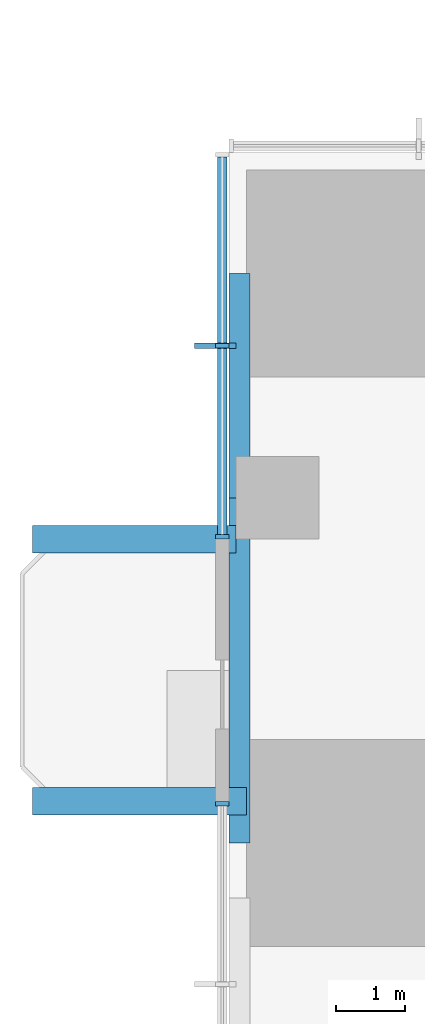
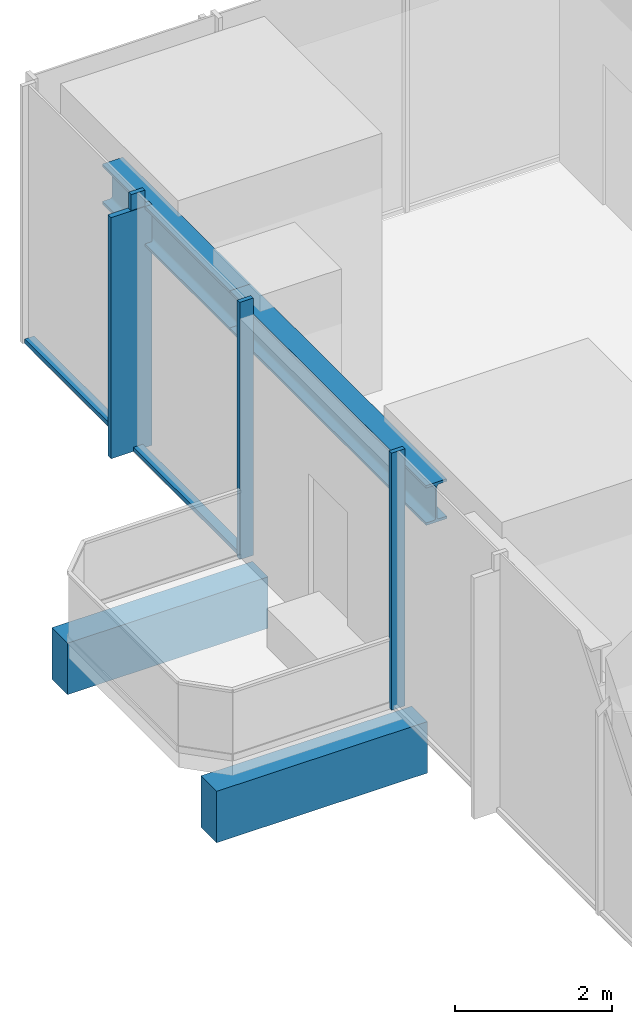
# One storey, part 3 of 13: 6 members, 4 beams, 2 elements without a shape of their own.
"""IFC4 building model written with IfcOpenShell, lengths in metres."""

from ifc_helpers import new_model, si_unit, direction, frame, origin, origin_2d, place, context, subcontext, project, spatial, rectangle, i_section, extrude, material, material_profile, profile_set, type_object, element, aggregate, save


model = new_model("IFC4")

# Units and contexts
model_context = context("Model", 3, precision=1e-05, world=origin(), true_north=direction((0.0, 1.0)))
body_context = subcontext(model_context, "Body", "Model", "MODEL_VIEW")
ifc_project = project(units=[si_unit("LENGTHUNIT", "METRE"), si_unit("AREAUNIT", "SQUARE_METRE"), si_unit("VOLUMEUNIT", "CUBIC_METRE"), si_unit("PLANEANGLEUNIT", "RADIAN"), si_unit("MASSUNIT", "GRAM", prefix="KILO")], contexts=[model_context])

# Site, building, storey
site_placement = place(None, origin())
site = spatial("IfcSite", under=ifc_project, at=site_placement, CompositionType="ELEMENT")
building_placement = place(site_placement, origin())
building = spatial("IfcBuilding", under=site, at=building_placement, Name="Svetlomir Tower", CompositionType="ELEMENT")
storey_placement = place(building_placement, frame((0.0, 0.0, 124.5)))
storey = spatial("IfcBuildingStorey", under=building, at=storey_placement, Name="L29", CompositionType="ELEMENT", Elevation=124.5)

# Beams
ifc_material_1 = material(Name="Concrete C60/75", Category="concrete")
ifc_material_profile_1 = material_profile(ifc_material_1, rectangle(XDim=0.39990234375, YDim=0.800048828125, at=origin_2d()), Name="RC 400x800")
ifc_profile_set_1 = profile_set([ifc_material_profile_1], Name="Concrete C60/75")
beam_type_1 = type_object("IfcBeamType", Name="BALCONY RIB RC 400x800", PredefinedType="BEAM", material=ifc_profile_set_1)
beam_1_placement = place(storey_placement, frame((0.25, 21.60009765625, -0.64990234375), z_axis=(-1.0, 0.0, 0.0), x_axis=(0.0, -1.0, 0.0)))
element("IfcBeam", 1, at=beam_1_placement, inside=storey, type_object=beam_type_1, Name="Balcony rib W 1 L29", PredefinedType="BEAM", context=body_context, shape_type="SweptSolid", body=[
    extrude(rectangle(XDim=0.39990234375, YDim=0.800048828125, at=origin_2d()), origin(), (0.0, 0.0, 1.0), 3.10009765625),
])
beam_2_placement = place(storey_placement, frame((0.10009765625, 25.39990234375, -0.64990234375), z_axis=(-1.0, 0.0, 0.0), x_axis=(0.0, -1.0, 0.0)))
element("IfcBeam", 2, at=beam_2_placement, inside=storey, type_object=beam_type_1, Name="Balcony rib W 2 L29", PredefinedType="BEAM", context=body_context, shape_type="SweptSolid", body=[
    extrude(rectangle(XDim=0.39990234375, YDim=0.800048828125, at=origin_2d()), origin(), (0.0, 0.0, 1.0), 2.9501953125),
])

# Curtain wall, members
ifc_material_2 = material(Name="Bronze anodised aluminium curtain wall", Category="aluminium")
curtain_wall_type = type_object("IfcCurtainWallType", Name="CURTAIN WALL CW1 TOWER OFFICE", PredefinedType="NOTDEFINED", material=ifc_material_2)
curtain_wall_1_placement = place(storey_placement, origin())
curtain_wall_1 = element("IfcCurtainWall", 3, at=curtain_wall_1_placement, inside=storey, type_object=curtain_wall_type, Name="Curtain wall CW1 L29", PredefinedType="NOTDEFINED")
ifc_material_3 = material(Name="Bronze anodised aluminium", Category="aluminium")
ifc_material_profile_2 = material_profile(ifc_material_3, rectangle(XDim=0.080078125, YDim=0.60009765625, at=origin_2d()), Name="FIN 80x600")
ifc_profile_set_2 = profile_set([ifc_material_profile_2], Name="Bronze anodised aluminium 6063-T6")
member_type_1 = type_object("IfcMemberType", Name="BRONZE FIN 80x600", PredefinedType="USERDEFINED", material=ifc_profile_set_2)
member_1_placement = place(storey_placement, frame((-0.199951171875, 28.199951171875, 0.0), z_axis=(0.0, 0.0, 1.0), x_axis=(0.0, 1.0, 0.0)))
member_1 = element("IfcMember", 4, at=member_1_placement, type_object=member_type_1, Name="Bronze fin L29", ObjectType="FIN", PredefinedType="USERDEFINED", context=body_context, shape_type="SweptSolid", body=[
    extrude(rectangle(XDim=0.080078125, YDim=0.60009765625, at=origin_2d()), origin(), (0.0, 0.0, 1.0), 3.75),
])
ifc_material_4 = material(Name="Bronze anodised aluminium", Category="aluminium")
ifc_material_profile_3 = material_profile(ifc_material_4, rectangle(XDim=0.06494140625, YDim=0.199951171875, at=origin_2d()), Name="AL 65x200")
ifc_profile_set_3 = profile_set([ifc_material_profile_3], Name="Bronze anodised aluminium 6063-T6")
member_type_2 = type_object("IfcMemberType", Name="CW1 MULLION 65x200", PredefinedType="MULLION", material=ifc_profile_set_3)
member_2_placement = place(storey_placement, frame((-0.10009765625, 28.199951171875, 0.0), z_axis=(0.0, 0.0, 1.0), x_axis=(0.0, -1.0, 0.0)))
member_2 = element("IfcMember", 5, at=member_2_placement, type_object=member_type_2, Name="CW1 mullion 2", PredefinedType="MULLION", context=body_context, shape_type="SweptSolid", body=[
    extrude(rectangle(XDim=0.06494140625, YDim=0.199951171875, at=origin_2d()), origin(), (0.0, 0.0, 1.0), 4.0),
])
member_3_placement = place(storey_placement, frame((-0.10009765625, 25.4326171875, 0.0), z_axis=(0.0, 0.0, 1.0), x_axis=(0.0, -1.0, 0.0)))
member_3 = element("IfcMember", 6, at=member_3_placement, type_object=member_type_2, Name="CW1 mullion 3", PredefinedType="MULLION", context=body_context, shape_type="SweptSolid", body=[
    extrude(rectangle(XDim=0.06494140625, YDim=0.199951171875, at=origin_2d()), origin(), (0.0, 0.0, 1.0), 4.0),
])

# Curtain wall, member
curtain_wall_2_placement = place(storey_placement, origin())
curtain_wall_2 = element("IfcCurtainWall", 7, at=curtain_wall_2_placement, inside=storey, type_object=curtain_wall_type, Name="Curtain wall CW1 L29", PredefinedType="NOTDEFINED")
member_4_placement = place(storey_placement, frame((-0.10009765625, 21.5673828125, 0.0), z_axis=(0.0, 0.0, 1.0), x_axis=(0.0, -1.0, 0.0)))
member_4 = element("IfcMember", 8, at=member_4_placement, type_object=member_type_2, Name="CW1 mullion 1", PredefinedType="MULLION", context=body_context, shape_type="SweptSolid", body=[
    extrude(rectangle(XDim=0.06494140625, YDim=0.199951171875, at=origin_2d()), origin(), (0.0, 0.0, 1.0), 4.0),
])
aggregate(curtain_wall_2, [member_4])

# Member
ifc_material_5 = material(Name="Bronze anodised aluminium", Category="aluminium")
ifc_material_profile_4 = material_profile(ifc_material_5, rectangle(XDim=0.139892578125, YDim=0.06494140625, at=origin_2d()), Name="AL 140x65")
ifc_profile_set_4 = profile_set([ifc_material_profile_4], Name="Bronze anodised aluminium 6063-T6")
member_type_3 = type_object("IfcMemberType", Name="CW1 TRANSOM 65x140", PredefinedType="USERDEFINED", material=ifc_profile_set_4)
member_5_placement = place(storey_placement, frame((-0.10009765625, 30.93505859375, 0.032470703125), z_axis=(0.0, -1.0, 0.0), x_axis=(1.0, 0.0, 0.0)))
member_5 = element("IfcMember", 9, at=member_5_placement, type_object=member_type_3, Name="CW1 transom 1.1", ObjectType="TRANSOM", PredefinedType="USERDEFINED", context=body_context, shape_type="SweptSolid", body=[
    extrude(rectangle(XDim=0.139892578125, YDim=0.06494140625, at=origin_2d()), origin(), (0.0, 0.0, 1.0), 2.70263671875),
])

member_6_placement = place(storey_placement, frame((-0.10009765625, 28.16748046875, 0.032470703125), z_axis=(0.0, -1.0, 0.0), x_axis=(1.0, 0.0, 0.0)))
member_6 = element("IfcMember", 10, at=member_6_placement, type_object=member_type_3, Name="CW1 transom 2.1", ObjectType="TRANSOM", PredefinedType="USERDEFINED", context=body_context, shape_type="SweptSolid", body=[
    extrude(rectangle(XDim=0.139892578125, YDim=0.06494140625, at=origin_2d()), origin(), (0.0, 0.0, 1.0), 2.702392578125),
])

aggregate(curtain_wall_1, [member_2, member_3, member_5, member_6, member_1])

# Beams
ifc_material_6 = material(Name="Steel S355", Category="steel")
ifc_material_profile_5 = material_profile(ifc_material_6, i_section(OverallWidth=0.304931640625, OverallDepth=0.6201171875, WebThickness=0.02099609375, FlangeThickness=0.0400390625, FilletRadius=0.027099609375, at=origin_2d()), Name="HEM 600")
ifc_profile_set_5 = profile_set([ifc_material_profile_5], Name="Steel S355")
beam_type_2 = type_object("IfcBeamType", Name="EDGE BEAM HEM 600", PredefinedType="SPANDREL", material=ifc_profile_set_5)
beam_3_placement = place(storey_placement, frame((0.152587890625, 21.0, 3.43994140625), z_axis=(0.0, 1.0, 0.0), x_axis=(-1.0, 0.0, 0.0)))
element("IfcBeam", 11, at=beam_3_placement, inside=storey, type_object=beam_type_2, Name="Edge beam 0/21 to 0/26 under L30", PredefinedType="SPANDREL", context=body_context, shape_type="SweptSolid", body=[
    extrude(i_section(OverallWidth=0.304931640625, OverallDepth=0.6201171875, WebThickness=0.02099609375, FlangeThickness=0.0400390625, FilletRadius=0.027099609375, at=origin_2d()), origin(), (0.0, 0.0, 1.0), 5.0),
])
beam_4_placement = place(storey_placement, frame((0.152587890625, 26.0, 3.43994140625), z_axis=(0.0, 1.0, 0.0), x_axis=(-1.0, 0.0, 0.0)))
element("IfcBeam", 12, at=beam_4_placement, inside=storey, type_object=beam_type_2, Name="Edge beam 0/26 to 0/31 under L30", PredefinedType="SPANDREL", context=body_context, shape_type="SweptSolid", body=[
    extrude(i_section(OverallWidth=0.304931640625, OverallDepth=0.6201171875, WebThickness=0.02099609375, FlangeThickness=0.0400390625, FilletRadius=0.027099609375, at=origin_2d()), origin(), (0.0, 0.0, 1.0), 3.25),
])

save(model, "model.ifc")
